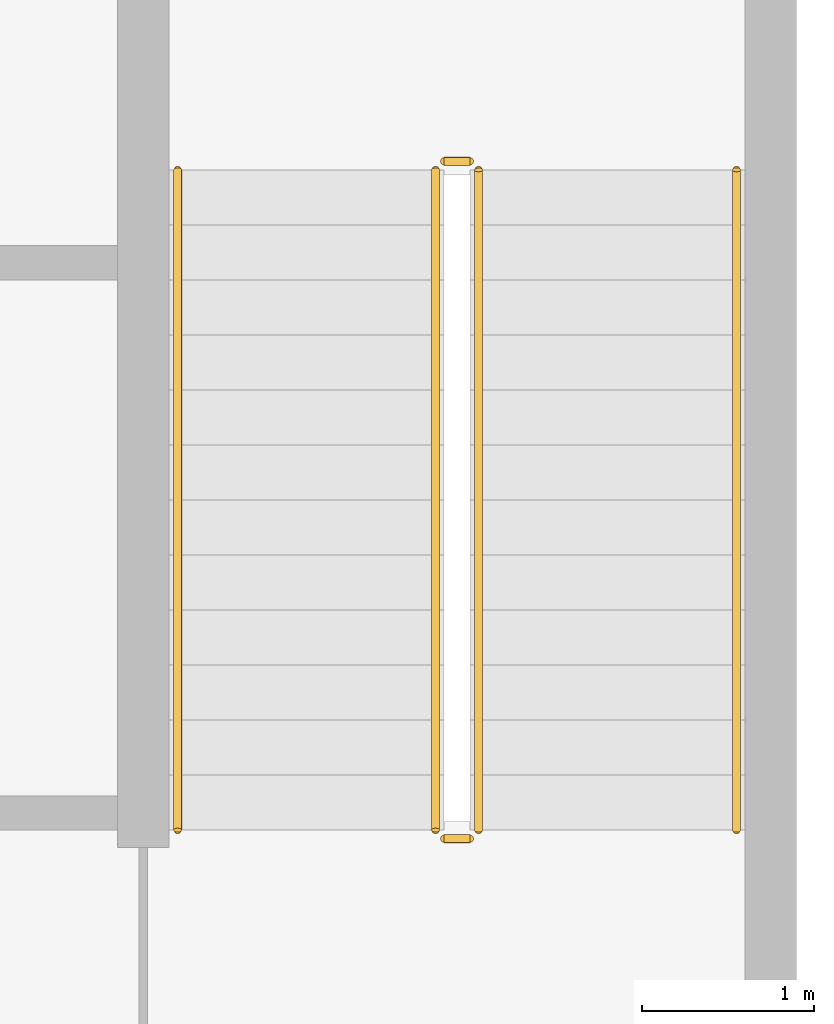
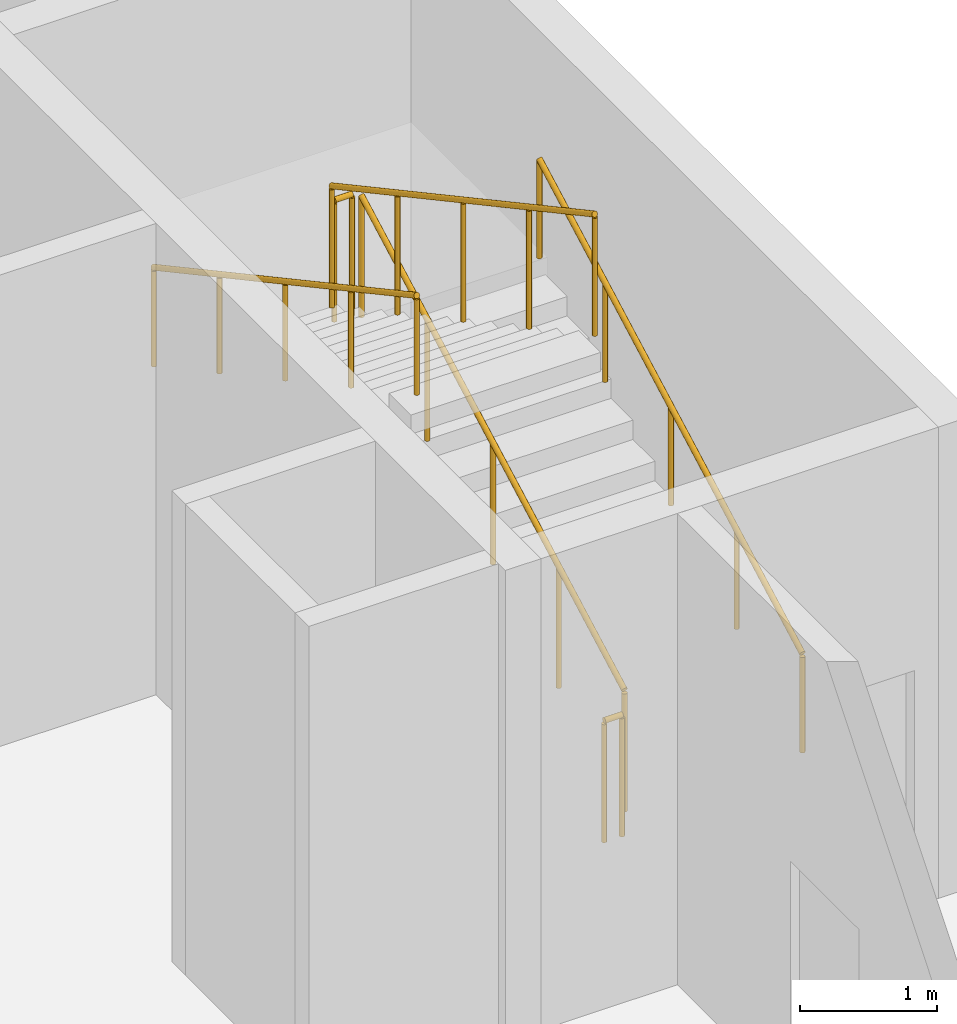
# One storey, part 41 of 43: 6 railings.
"""IFC4 building model written with IfcOpenShell, lengths in metres."""

from ifc_helpers import new_model, si_unit, direction, frame, origin, origin_2d, place, context, subcontext, project, spatial, circle, extrude, material, type_object, element, save


model = new_model("IFC4")

# Units and contexts
model_context = context("Model", 3, precision=1e-05, world=origin(), true_north=direction((0.0, 1.0)))
body_context = subcontext(model_context, "Body", "Model", "MODEL_VIEW")
ifc_project = project(units=[si_unit("LENGTHUNIT", "METRE"), si_unit("AREAUNIT", "SQUARE_METRE"), si_unit("VOLUMEUNIT", "CUBIC_METRE"), si_unit("PLANEANGLEUNIT", "RADIAN"), si_unit("MASSUNIT", "GRAM", prefix="KILO")], contexts=[model_context])

# Site, building, storey
site_placement = place(None, origin())
site = spatial("IfcSite", under=ifc_project, at=site_placement, CompositionType="ELEMENT")
building_placement = place(site_placement, origin())
building = spatial("IfcBuilding", under=site, at=building_placement, Name="Madar Terraces", CompositionType="ELEMENT")
storey_placement = place(building_placement, frame((0.0, 0.0, 10.5)))
storey = spatial("IfcBuildingStorey", under=building, at=storey_placement, Name="L02", CompositionType="ELEMENT", Elevation=10.5)

# Railings
ifc_material_1 = material(Name="Stainless steel railing", Category="steel")
railing_type_1 = type_object("IfcRailingType", Name="Stair guard 1100", PredefinedType="GUARDRAIL", material=ifc_material_1)
railing_1_placement = place(storey_placement, frame((67.75, 6.300048828125, 0.173095703125)))
element("IfcRailing", 1, at=railing_1_placement, inside=storey, type_object=railing_type_1, Name="L02 PS3 stair guard 1", PredefinedType="GUARDRAIL", context=body_context, shape_type="SweptSolid", body=[
    extrude(circle(Radius=0.02392578125, at=origin_2d()), frame((0.0, 0.0, 1.076171875), z_axis=(0.0, 0.879580660541, 0.475749788862), x_axis=(-1.0, 0.0, 0.0)), (0.0, 0.0, 1.0), 4.365478515625),
    extrude(circle(Radius=0.02099609375, at=origin_2d()), origin(), (0.0, 0.0, 1.0), 1.052001953125),
    extrude(circle(Radius=0.02099609375, at=origin_2d()), frame((0.0, 0.9599609375, 0.519287109375)), (0.0, 0.0, 1.0), 1.052001953125),
    extrude(circle(Radius=0.02099609375, at=origin_2d()), frame((0.0, 1.919921875, 1.03857421875)), (0.0, 0.0, 1.0), 1.052001953125),
    extrude(circle(Radius=0.02099609375, at=origin_2d()), frame((0.0, 2.8798828125, 1.5576171875)), (0.0, 0.0, 1.0), 1.052001953125),
    extrude(circle(Radius=0.02099609375, at=origin_2d()), frame((0.0, 3.83984375, 2.076904296875)), (0.0, 0.0, 1.0), 1.052001953125),
])
railing_2_placement = place(storey_placement, frame((67.699951171875, 10.18994140625, 2.25)))
element("IfcRailing", 2, at=railing_2_placement, inside=storey, type_object=railing_type_1, Name="L02 PS3 stair guard 2", PredefinedType="GUARDRAIL", context=body_context, shape_type="SweptSolid", body=[
    extrude(circle(Radius=0.02392578125, at=origin_2d()), frame((0.0, 0.0, 1.076171875), z_axis=(-1.0, 0.0, 0.0), x_axis=(0.0, -1.0, 0.0)), (0.0, 0.0, 1.0), 0.14990234375),
    extrude(circle(Radius=0.02099609375, at=origin_2d()), origin(), (0.0, 0.0, 1.0), 1.052001953125),
    extrude(circle(Radius=0.02099609375, at=origin_2d()), frame((-0.14990234375, 0.0, 0.0)), (0.0, 0.0, 1.0), 1.052001953125),
])
railing_3_placement = place(storey_placement, frame((67.5, 10.139892578125, 2.423095703125)))
element("IfcRailing", 3, at=railing_3_placement, inside=storey, type_object=railing_type_1, Name="L02 PS3 stair guard 3", PredefinedType="GUARDRAIL", context=body_context, shape_type="SweptSolid", body=[
    extrude(circle(Radius=0.02392578125, at=origin_2d()), frame((0.0, 0.0, 1.076171875), z_axis=(0.0, -0.879580660541, 0.475749788862), x_axis=(1.0, 0.0, 0.0)), (0.0, 0.0, 1.0), 4.365478515625),
    extrude(circle(Radius=0.02099609375, at=origin_2d()), origin(), (0.0, 0.0, 1.0), 1.052001953125),
    extrude(circle(Radius=0.02099609375, at=origin_2d()), frame((0.0, -0.9599609375, 0.519287109375)), (0.0, 0.0, 1.0), 1.052001953125),
    extrude(circle(Radius=0.02099609375, at=origin_2d()), frame((0.0, -1.919921875, 1.03857421875)), (0.0, 0.0, 1.0), 1.052001953125),
    extrude(circle(Radius=0.02099609375, at=origin_2d()), frame((0.0, -2.8798828125, 1.5576171875)), (0.0, 0.0, 1.0), 1.052001953125),
    extrude(circle(Radius=0.02099609375, at=origin_2d()), frame((0.0, -3.83984375, 2.076904296875)), (0.0, 0.0, 1.0), 1.052001953125),
])
railing_4_placement = place(storey_placement, frame((67.699951171875, 6.25, 0.0)))
element("IfcRailing", 4, at=railing_4_placement, inside=storey, type_object=railing_type_1, Name="L02 PS3 stair guard 4", PredefinedType="GUARDRAIL", context=body_context, shape_type="SweptSolid", body=[
    extrude(circle(Radius=0.02392578125, at=origin_2d()), frame((0.0, 0.0, 1.076171875), z_axis=(-1.0, 0.0, 0.0), x_axis=(0.0, -1.0, 0.0)), (0.0, 0.0, 1.0), 0.14990234375),
    extrude(circle(Radius=0.02099609375, at=origin_2d()), origin(), (0.0, 0.0, 1.0), 1.052001953125),
    extrude(circle(Radius=0.02099609375, at=origin_2d()), frame((-0.14990234375, 0.0, 0.0)), (0.0, 0.0, 1.0), 1.052001953125),
])
ifc_material_2 = material(Name="Stainless steel railing", Category="steel")
railing_type_2 = type_object("IfcRailingType", Name="Stair handrail 900", PredefinedType="HANDRAIL", material=ifc_material_2)
railing_5_placement = place(storey_placement, frame((69.25, 6.300048828125, 0.173095703125)))
element("IfcRailing", 5, at=railing_5_placement, inside=storey, type_object=railing_type_2, Name="L02 PS3 stair handrail 1", PredefinedType="HANDRAIL", context=body_context, shape_type="SweptSolid", body=[
    extrude(circle(Radius=0.02392578125, at=origin_2d()), frame((0.0, 0.0, 0.8759765625), z_axis=(0.0, 0.879580660541, 0.475749788862), x_axis=(-1.0, 0.0, 0.0)), (0.0, 0.0, 1.0), 4.365478515625),
    extrude(circle(Radius=0.02099609375, at=origin_2d()), origin(), (0.0, 0.0, 1.0), 0.851806640625),
    extrude(circle(Radius=0.02099609375, at=origin_2d()), frame((0.0, 0.9599609375, 0.519287109375)), (0.0, 0.0, 1.0), 0.851806640625),
    extrude(circle(Radius=0.02099609375, at=origin_2d()), frame((0.0, 1.919921875, 1.03857421875)), (0.0, 0.0, 1.0), 0.851806640625),
    extrude(circle(Radius=0.02099609375, at=origin_2d()), frame((0.0, 2.8798828125, 1.5576171875)), (0.0, 0.0, 1.0), 0.851806640625),
    extrude(circle(Radius=0.02099609375, at=origin_2d()), frame((0.0, 3.83984375, 2.076904296875)), (0.0, 0.0, 1.0), 0.851806640625),
])
railing_6_placement = place(storey_placement, frame((66.0, 10.139892578125, 2.423095703125)))
element("IfcRailing", 6, at=railing_6_placement, inside=storey, type_object=railing_type_2, Name="L02 PS3 stair handrail 2", PredefinedType="HANDRAIL", context=body_context, shape_type="SweptSolid", body=[
    extrude(circle(Radius=0.02392578125, at=origin_2d()), frame((0.0, 0.0, 0.8759765625), z_axis=(0.0, -0.879580660541, 0.475749788862), x_axis=(1.0, 0.0, 0.0)), (0.0, 0.0, 1.0), 4.365478515625),
    extrude(circle(Radius=0.02099609375, at=origin_2d()), origin(), (0.0, 0.0, 1.0), 0.851806640625),
    extrude(circle(Radius=0.02099609375, at=origin_2d()), frame((0.0, -0.9599609375, 0.519287109375)), (0.0, 0.0, 1.0), 0.851806640625),
    extrude(circle(Radius=0.02099609375, at=origin_2d()), frame((0.0, -1.919921875, 1.03857421875)), (0.0, 0.0, 1.0), 0.851806640625),
    extrude(circle(Radius=0.02099609375, at=origin_2d()), frame((0.0, -2.8798828125, 1.5576171875)), (0.0, 0.0, 1.0), 0.851806640625),
    extrude(circle(Radius=0.02099609375, at=origin_2d()), frame((0.0, -3.83984375, 2.076904296875)), (0.0, 0.0, 1.0), 0.851806640625),
])

save(model, "model.ifc")
